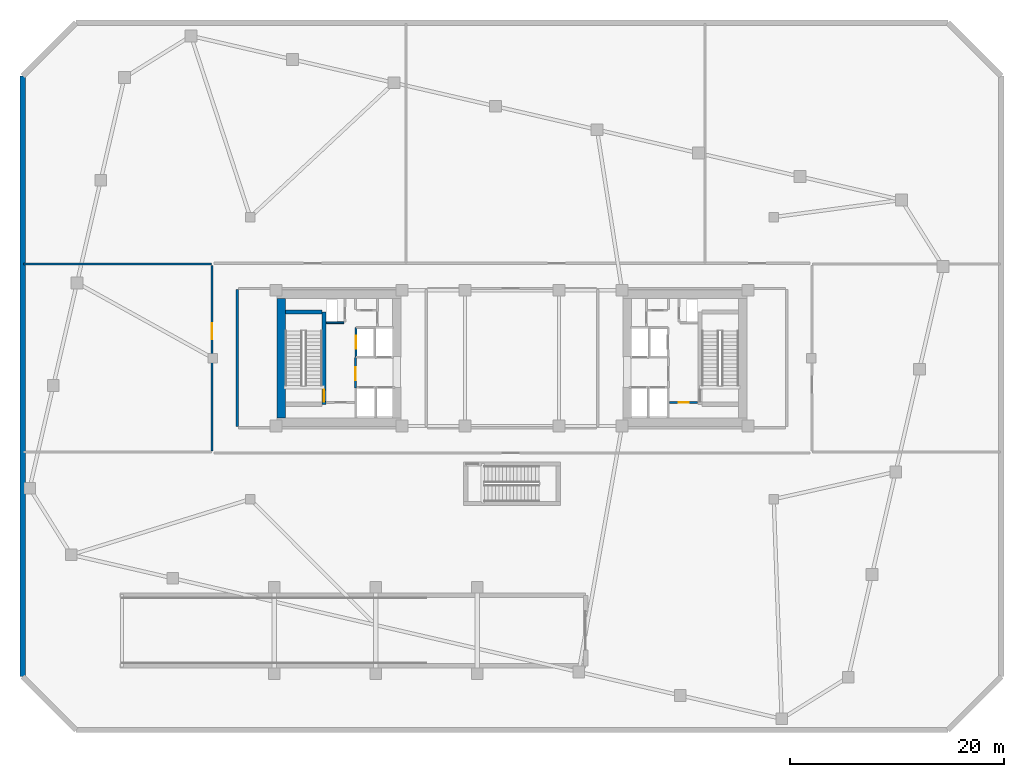
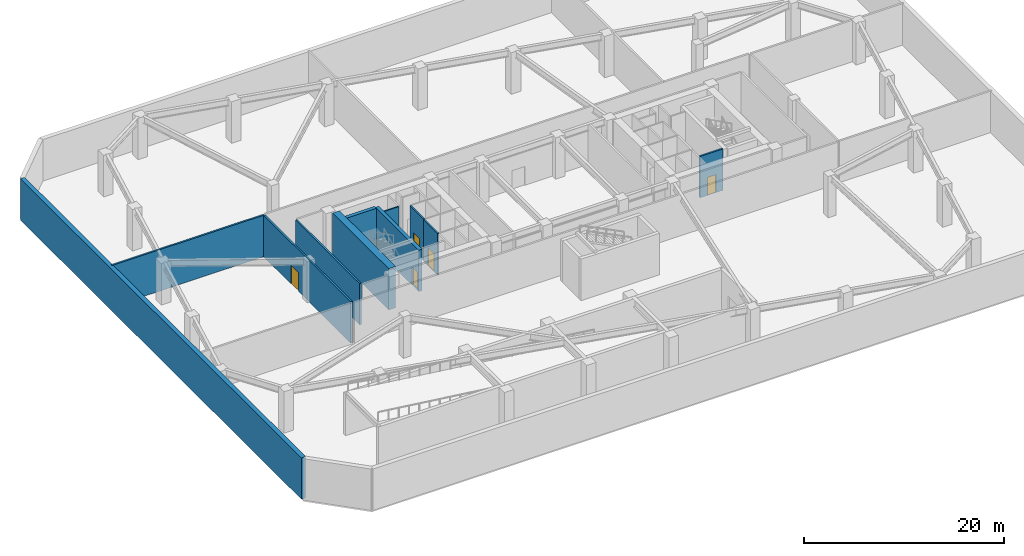
# One storey, part 5 of 11: 11 walls, 5 doors, 5 openings.
"""IFC4 building model written with IfcOpenShell, lengths in metres."""

from ifc_helpers import new_model, si_unit, direction, frame, frame_2d, origin, place, context, subcontext, project, spatial, rectangle, extrude, material, layer, layer_set, type_object, element, fill, save


model = new_model("IFC4")

# Units and contexts
model_context = context("Model", 3, precision=1e-05, world=origin(), true_north=direction((0.0, 1.0)))
body_context = subcontext(model_context, "Body", "Model", "MODEL_VIEW")
ifc_project = project(units=[si_unit("LENGTHUNIT", "METRE"), si_unit("AREAUNIT", "SQUARE_METRE"), si_unit("VOLUMEUNIT", "CUBIC_METRE"), si_unit("PLANEANGLEUNIT", "RADIAN"), si_unit("MASSUNIT", "GRAM", prefix="KILO")], contexts=[model_context])

# Site, building, storey
site_placement = place(None, origin())
site = spatial("IfcSite", under=ifc_project, at=site_placement, CompositionType="ELEMENT")
building_placement = place(site_placement, origin())
building = spatial("IfcBuilding", under=site, at=building_placement, Name="Tavrogorsk Clinical Tower", CompositionType="ELEMENT")
storey_placement = place(building_placement, frame((0.0, 0.0, -5.39990234375)))
storey = spatial("IfcBuildingStorey", under=building, at=storey_placement, Name="B1", CompositionType="ELEMENT", Elevation=-5.39990234375)

# Wall, opening, door
ifc_material_1 = material(Name="Concrete B60", Category="concrete")
ifc_layer_1 = layer(ifc_material_1, 0.199951171875)
ifc_layer_set_1 = layer_set([ifc_layer_1], Name="Concrete B60")
wall_type_1 = type_object("IfcWallType", Name="CoreFireWall_200", PredefinedType="SOLIDWALL", material=ifc_layer_set_1)
wall_1_placement = place(storey_placement, frame((-14.639892578125, -2.780029296875, 0.0), z_axis=(0.0, 0.0, 1.0), x_axis=(0.0, 1.0, 0.0)))
wall_1 = element("IfcWall", 1, at=wall_1_placement, inside=storey, type_object=wall_type_1, Name="B1 Core West Firefighting Lobby Fire Wall", PredefinedType="SOLIDWALL", context=body_context, shape_type="SweptSolid", body=[
    extrude(rectangle(XDim=2.820068359375, YDim=0.199951171875, at=frame_2d((1.41015625, 0.0))), origin(), (0.0, 0.0, 1.0), 5.0498046875),
])
opening_1_placement = place(wall_1_placement, frame((0.72998046875, 0.0, 0.0)))
opening_1 = element("IfcOpeningElement", 2, at=opening_1_placement, cuts=wall_1, Name="Opening FD-01", PredefinedType="OPENING", context=body_context, shape_type="SweptSolid", body=[
    extrude(rectangle(XDim=1.199951171875, YDim=2.199951171875, at=frame_2d((0.60009765625, 1.10009765625))), frame((0.0, 0.10986328125, 0.0), z_axis=(0.0, -1.0, 0.0), x_axis=(1.0, 0.0, 0.0)), (0.0, 0.0, 1.0), 0.219970703125),
])
ifc_material_2 = material(Name="Galvanised steel fire-rated door assembly", Category="steel")
door_type_1 = type_object("IfcDoorType", Name="FireDoor_FD01_1200", OperationType="NOTDEFINED", PredefinedType="DOOR", material=ifc_material_2)
door_1_placement = place(opening_1_placement, origin())
door_1 = element("IfcDoor", 3, at=door_1_placement, inside=storey, type_object=door_type_1, Name="B1 Core West Firefighting Lobby Entry Door", OperationType="SINGLE_SWING_LEFT", OverallHeight=2.199951171875, OverallWidth=1.199951171875, PredefinedType="DOOR", context=body_context, shape_type="SweptSolid", body=[
    extrude(rectangle(XDim=1.199951171875, YDim=2.199951171875, at=frame_2d((0.60009765625, 1.10009765625))), frame((0.0, 0.02490234375, 0.0), z_axis=(0.0, -1.0, 0.0), x_axis=(1.0, 0.0, 0.0)), (0.0, 0.0, 1.0), 0.050048828125),
])
fill(opening_1, door_1)

wall_2_placement = place(storey_placement, frame((14.719970703125, -4.139892578125, 0.0), z_axis=(0.0, 0.0, 1.0), x_axis=(1.0, 0.0, 0.0)))
wall_2 = element("IfcWall", 4, at=wall_2_placement, inside=storey, type_object=wall_type_1, Name="B1 Core East South Core Room Fire Wall", PredefinedType="SOLIDWALL", context=body_context, shape_type="SweptSolid", body=[
    extrude(rectangle(XDim=2.659912109375, YDim=0.199951171875, at=frame_2d((1.330078125, 0.0))), origin(), (0.0, 0.0, 1.0), 5.0498046875),
])
opening_2_placement = place(wall_2_placement, frame((0.8798828125, 0.0, 0.0)))
opening_2 = element("IfcOpeningElement", 5, at=opening_2_placement, cuts=wall_2, Name="Opening ID-02", PredefinedType="OPENING", context=body_context, shape_type="SweptSolid", body=[
    extrude(rectangle(XDim=0.949951171875, YDim=2.199951171875, at=frame_2d((0.47509765625, 1.10009765625))), frame((0.0, 0.10986328125, 0.0), z_axis=(0.0, -1.0, 0.0), x_axis=(1.0, 0.0, 0.0)), (0.0, 0.0, 1.0), 0.219970703125),
])
ifc_material_3 = material(Name="Laminated timber leaf on aluminium frame", Category="wood")
door_type_2 = type_object("IfcDoorType", Name="InteriorDoor_ID02_950", OperationType="NOTDEFINED", PredefinedType="DOOR", material=ifc_material_3)
door_2_placement = place(opening_2_placement, origin())
door_2 = element("IfcDoor", 6, at=door_2_placement, inside=storey, type_object=door_type_2, Name="B1 Core East South Core Room Door", OperationType="SINGLE_SWING_LEFT", OverallHeight=2.199951171875, OverallWidth=0.949951171875, PredefinedType="DOOR", context=body_context, shape_type="SweptSolid", body=[
    extrude(rectangle(XDim=0.949951171875, YDim=2.199951171875, at=frame_2d((0.47509765625, 1.10009765625))), frame((0.0, 0.02490234375, 0.0), z_axis=(0.0, -1.0, 0.0), x_axis=(1.0, 0.0, 0.0)), (0.0, 0.0, 1.0), 0.050048828125),
])
fill(opening_2, door_2)

wall_3_placement = place(storey_placement, frame((-28.080078125, -8.695068359375, 0.0), z_axis=(0.0, 0.0, 1.0), x_axis=(0.0, 1.0, 0.0)))
wall_3 = element("IfcWall", 7, at=wall_3_placement, inside=storey, type_object=wall_type_1, Name="B1 Corridor Fire Wall 01", PredefinedType="SOLIDWALL", context=body_context, shape_type="SweptSolid", body=[
    extrude(rectangle(XDim=17.39013671875, YDim=0.199951171875, at=frame_2d((8.695068359375, 0.0))), origin(), (0.0, 0.0, 1.0), 5.0498046875),
])
opening_3_placement = place(wall_3_placement, frame((10.449951171875, 0.0, 0.0)))
opening_3 = element("IfcOpeningElement", 8, at=opening_3_placement, cuts=wall_3, Name="Opening FD-03", PredefinedType="OPENING", context=body_context, shape_type="SweptSolid", body=[
    extrude(rectangle(XDim=1.5, YDim=2.300048828125, at=frame_2d((0.75, 1.14990234375))), frame((0.0, 0.10986328125, 0.0), z_axis=(0.0, -1.0, 0.0), x_axis=(1.0, 0.0, 0.0)), (0.0, 0.0, 1.0), 0.219970703125),
])
ifc_material_4 = material(Name="Galvanised steel double fire door assembly", Category="steel")
door_type_3 = type_object("IfcDoorType", Name="FireDoor_FD03_1500", OperationType="DOUBLE_SWING_LEFT", PredefinedType="DOOR", material=ifc_material_4)
door_3_placement = place(opening_3_placement, origin())
door_3 = element("IfcDoor", 9, at=door_3_placement, inside=storey, type_object=door_type_3, Name="B1 20kV Substation Room West Fire Door", OperationType="DOUBLE_SWING_LEFT", OverallHeight=2.300048828125, OverallWidth=1.5, PredefinedType="DOOR", context=body_context, shape_type="SweptSolid", body=[
    extrude(rectangle(XDim=1.5, YDim=2.300048828125, at=frame_2d((0.75, 1.14990234375))), frame((0.0, 0.02490234375, 0.0), z_axis=(0.0, -1.0, 0.0), x_axis=(1.0, 0.0, 0.0)), (0.0, 0.0, 1.0), 0.050048828125),
])
fill(opening_3, door_3)

# Walls
wall_4_placement = place(storey_placement, frame((-25.719970703125, 6.4150390625, 0.0), z_axis=(0.0, 0.0, 1.0), x_axis=(0.0, -1.0, 0.0)))
element("IfcWall", 10, at=wall_4_placement, inside=storey, type_object=wall_type_1, Name="B1 Corridor Fire Wall 13", PredefinedType="SOLIDWALL", context=body_context, shape_type="SweptSolid", body=[
    extrude(rectangle(XDim=12.830078125, YDim=0.199951171875, at=frame_2d((6.4150390625, 0.0))), origin(), (0.0, 0.0, 1.0), 5.0498046875),
])
wall_5_placement = place(storey_placement, frame((-45.719970703125, 8.800048828125, 0.0), z_axis=(0.0, 0.0, 1.0), x_axis=(1.0, 0.0, 0.0)))
element("IfcWall", 11, at=wall_5_placement, inside=storey, type_object=wall_type_1, Name="B1 Compartment Fire Wall 3", PredefinedType="SOLIDWALL", context=body_context, shape_type="SweptSolid", body=[
    extrude(rectangle(XDim=17.614990234375, YDim=0.199951171875, at=frame_2d((8.8076171875, 0.0))), origin(), (0.0, 0.0, 1.0), 5.0498046875),
])

# Wall, opening, door
ifc_material_5 = material(Name="Lightweight concrete blockwork B25", Category="masonry")
ifc_layer_2 = layer(ifc_material_5, 0.159912109375)
ifc_layer_set_2 = layer_set([ifc_layer_2], Name="Lightweight concrete blockwork B25")
wall_type_2 = type_object("IfcWallType", Name="ShaftWall_160", PredefinedType="PARTITIONING", material=ifc_layer_set_2)
wall_6_placement = place(storey_placement, frame((-14.60009765625, 0.1201171875, 0.0), z_axis=(0.0, 0.0, 1.0), x_axis=(0.0, 1.0, 0.0)))
wall_6 = element("IfcWall", 12, at=wall_6_placement, inside=storey, type_object=wall_type_2, Name="B1 FFL-W Firefighting Lift Front Wall", PredefinedType="PARTITIONING", context=body_context, shape_type="SweptSolid", body=[
    extrude(rectangle(XDim=2.739990234375, YDim=0.159912109375, at=frame_2d((1.3701171875, 0.0))), origin(), (0.0, 0.0, 1.0), 5.0498046875),
])
opening_4_placement = place(wall_6_placement, frame((0.77001953125, 0.0, 0.0)))
opening_4 = element("IfcOpeningElement", 13, at=opening_4_placement, cuts=wall_6, Name="Opening LD", PredefinedType="OPENING", context=body_context, shape_type="SweptSolid", body=[
    extrude(rectangle(XDim=1.199951171875, YDim=2.199951171875, at=frame_2d((0.60009765625, 1.10009765625))), frame((0.0, 0.08984375, 0.0), z_axis=(0.0, -1.0, 0.0), x_axis=(1.0, 0.0, 0.0)), (0.0, 0.0, 1.0), 0.179931640625),
])
ifc_material_6 = material(Name="Brushed stainless steel AISI 304 sliding doors", Category="steel")
door_type_4 = type_object("IfcDoorType", Name="LiftLandingDoor_LD_1200", OperationType="SLIDING_TO_LEFT", PredefinedType="DOOR", material=ifc_material_6)
door_4_placement = place(opening_4_placement, origin())
door_4 = element("IfcDoor", 14, at=door_4_placement, inside=storey, type_object=door_type_4, Name="B1 FFL-W Sliding Lift Landing Door", OperationType="SLIDING_TO_LEFT", OverallHeight=2.199951171875, OverallWidth=1.199951171875, PredefinedType="DOOR", context=body_context, shape_type="SweptSolid", body=[
    extrude(rectangle(XDim=1.199951171875, YDim=2.199951171875, at=frame_2d((0.60009765625, 1.10009765625))), frame((0.0, 0.02490234375, 0.0), z_axis=(0.0, -1.0, 0.0), x_axis=(1.0, 0.0, 0.0)), (0.0, 0.0, 1.0), 0.050048828125),
])
fill(opening_4, door_4)

# Wall
wall_7_placement = place(storey_placement, frame((-17.3798828125, 3.320068359375, 0.0), z_axis=(0.0, 0.0, 1.0), x_axis=(1.0, 0.0, 0.0)))
element("IfcWall", 15, at=wall_7_placement, inside=storey, type_object=wall_type_2, Name="B1 Core West Riser South Wall", PredefinedType="PARTITIONING", context=body_context, shape_type="SweptSolid", body=[
    extrude(rectangle(XDim=1.65478515625, YDim=0.159912109375, at=frame_2d((0.827392578125, 0.0))), origin(), (0.0, 0.0, 1.0), 5.0498046875),
])

# Wall, opening, door
ifc_material_7 = material(Name="Concrete B80", Category="concrete")
ifc_layer_3 = layer(ifc_material_7, 0.39990234375)
ifc_layer_set_3 = layer_set([ifc_layer_3], Name="Concrete B80")
wall_type_3 = type_object("IfcWallType", Name="ShearWall_400", PredefinedType="SHEAR", material=ifc_layer_set_3)
wall_8_placement = place(storey_placement, frame((-17.60009765625, -4.324951171875, 0.0), z_axis=(0.0, 0.0, 1.0), x_axis=(0.0, 1.0, 0.0)))
wall_8 = element("IfcWall", 16, at=wall_8_placement, inside=storey, type_object=wall_type_3, Name="B1 Core West Stair Shaft Inner Shear Wall", PredefinedType="SHEAR", context=body_context, shape_type="SweptSolid", body=[
    extrude(rectangle(XDim=8.64990234375, YDim=0.39990234375, at=frame_2d((4.324951171875, 0.0))), origin(), (0.0, 0.0, 1.0), 5.0498046875),
])
opening_5_placement = place(wall_8_placement, frame((0.25, 0.0, 0.0)))
opening_5 = element("IfcOpeningElement", 17, at=opening_5_placement, cuts=wall_8, Name="Opening SD-01", PredefinedType="OPENING", context=body_context, shape_type="SweptSolid", body=[
    extrude(rectangle(XDim=1.10009765625, YDim=2.199951171875, at=frame_2d((0.550048828125, 1.10009765625))), frame((0.0, 0.2099609375, 0.0), z_axis=(0.0, -1.0, 0.0), x_axis=(1.0, 0.0, 0.0)), (0.0, 0.0, 1.0), 0.419921875),
])
ifc_material_8 = material(Name="Galvanised steel smoke-tight fire door assembly", Category="steel")
door_type_5 = type_object("IfcDoorType", Name="StairFireDoor_SD01_1100", OperationType="NOTDEFINED", PredefinedType="DOOR", material=ifc_material_8)
door_5_placement = place(opening_5_placement, origin())
door_5 = element("IfcDoor", 18, at=door_5_placement, inside=storey, type_object=door_type_5, Name="B1 ST-W Exit Stair Door", OperationType="SINGLE_SWING_RIGHT", OverallHeight=2.199951171875, OverallWidth=1.10009765625, PredefinedType="DOOR", context=body_context, shape_type="SweptSolid", body=[
    extrude(rectangle(XDim=1.10009765625, YDim=2.199951171875, at=frame_2d((0.550048828125, 1.10009765625))), frame((0.0, 0.02490234375, 0.0), z_axis=(0.0, -1.0, 0.0), x_axis=(1.0, 0.0, 0.0)), (0.0, 0.0, 1.0), 0.050048828125),
])
fill(opening_5, door_5)

# Walls
wall_9_placement = place(storey_placement, frame((-21.199951171875, 4.324951171875, 0.0), z_axis=(0.0, 0.0, 1.0), x_axis=(1.0, 0.0, 0.0)))
element("IfcWall", 19, at=wall_9_placement, inside=storey, type_object=wall_type_3, Name="B1 Core West Stair Shaft North Shear Wall", PredefinedType="SHEAR", context=body_context, shape_type="SweptSolid", body=[
    extrude(rectangle(XDim=3.39990234375, YDim=0.39990234375, at=frame_2d((1.699951171875, 0.0))), origin(), (0.0, 0.0, 1.0), 5.0498046875),
])
ifc_material_9 = material(Name="Concrete B60", Category="concrete")
ifc_layer_4 = layer(ifc_material_9, 0.5)
ifc_layer_set_4 = layer_set([ifc_layer_4], Name="Concrete B60")
wall_type_4 = type_object("IfcWallType", Name="ShearWall_500", PredefinedType="SHEAR", material=ifc_layer_set_4)
wall_10_placement = place(storey_placement, frame((-45.800048828125, 26.39990234375, 0.0), z_axis=(0.0, 0.0, 1.0), x_axis=(0.0, -1.0, 0.0)))
element("IfcWall", 20, at=wall_10_placement, inside=storey, type_object=wall_type_4, Name="B1 Retaining Wall 7", PredefinedType="SHEAR", context=body_context, shape_type="SweptSolid", body=[
    extrude(rectangle(XDim=56.199951171875, YDim=0.5, at=frame_2d((28.10009765625, 0.0))), origin(), (0.0, 0.0, 1.0), 5.0498046875),
])
ifc_material_10 = material(Name="Concrete B80", Category="concrete")
ifc_layer_5 = layer(ifc_material_10, 0.800048828125)
ifc_layer_set_5 = layer_set([ifc_layer_5], Name="Concrete B80")
wall_type_5 = type_object("IfcWallType", Name="ShearWall_800", PredefinedType="SHEAR", material=ifc_layer_set_5)
wall_11_placement = place(storey_placement, frame((-21.60009765625, -5.60009765625, 0.0), z_axis=(0.0, 0.0, 1.0), x_axis=(0.0, 1.0, 0.0)))
element("IfcWall", 21, at=wall_11_placement, inside=storey, type_object=wall_type_5, Name="B1 Core West End Shear Wall", PredefinedType="SHEAR", context=body_context, shape_type="SweptSolid", body=[
    extrude(rectangle(XDim=11.2001953125, YDim=0.800048828125, at=frame_2d((5.60009765625, 0.0))), origin(), (0.0, 0.0, 1.0), 5.0498046875),
])

save(model, "model.ifc")
